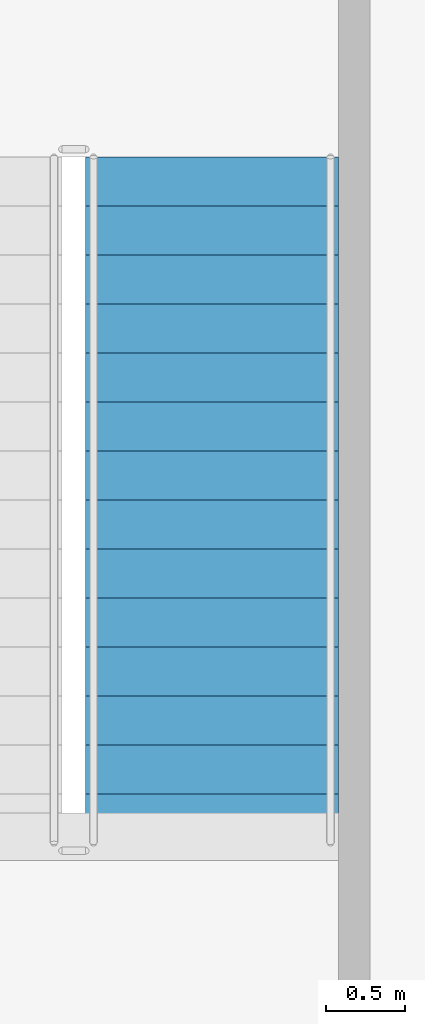
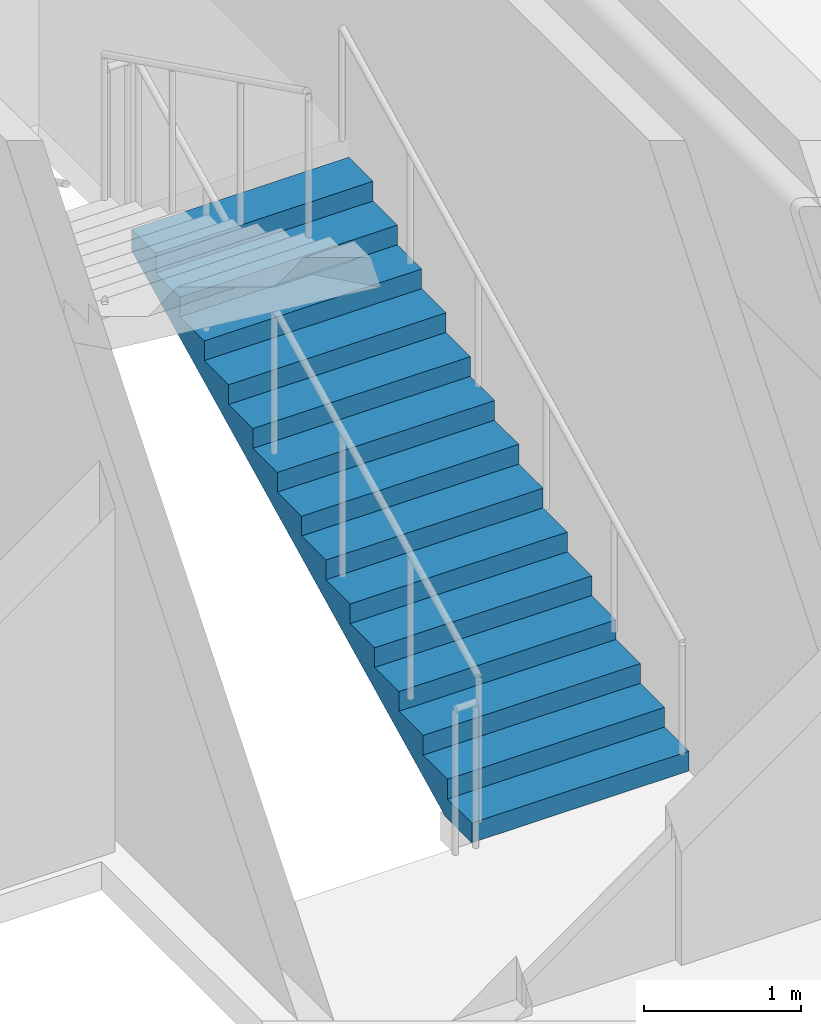
# One storey, part 13 of 20: 1 stair flight, 1 element without a shape of its own.
"""IFC4 building model written with IfcOpenShell, lengths in metres."""

from ifc_helpers import new_model, si_unit, direction, frame, origin, place, context, subcontext, project, spatial, polyline, outline, extrude, material, type_object, element, aggregate, save


model = new_model("IFC4")

# Units and contexts
model_context = context("Model", 3, precision=1e-05, world=origin(), true_north=direction((0.0, 1.0)))
body_context = subcontext(model_context, "Body", "Model", "MODEL_VIEW")
ifc_project = project(units=[si_unit("LENGTHUNIT", "METRE"), si_unit("AREAUNIT", "SQUARE_METRE"), si_unit("VOLUMEUNIT", "CUBIC_METRE"), si_unit("PLANEANGLEUNIT", "RADIAN"), si_unit("MASSUNIT", "GRAM", prefix="KILO")], contexts=[model_context])

# Site, building, storey
site_placement = place(None, origin())
site = spatial("IfcSite", under=ifc_project, at=site_placement, CompositionType="ELEMENT")
building_placement = place(site_placement, origin())
building = spatial("IfcBuilding", under=site, at=building_placement, Name="Vaeldorn Concourse Tower", CompositionType="ELEMENT")
storey_placement = place(building_placement, frame((0.0, 0.0, 299.199951171875)))
storey = spatial("IfcBuildingStorey", under=building, at=storey_placement, Name="L77", CompositionType="ELEMENT", Elevation=299.199951171875)

# Stair, stair flight
ifc_material = material(Name="Precast concrete C40/50", Category="concrete")
stair_type = type_object("IfcStairType", Name="STR-DOG-30x153", PredefinedType="HALF_TURN_STAIR", material=ifc_material)
stair_placement = place(storey_placement, origin())
stair = element("IfcStair", 1, at=stair_placement, inside=storey, type_object=stair_type, Name="L77 East Core Exit Stair ST-2", PredefinedType="HALF_TURN_STAIR")
stair_flight_type = type_object("IfcStairFlightType", Name="STF-STR-15x153", PredefinedType="STRAIGHT", material=ifc_material)
stair_flight_placement = place(storey_placement, frame((52.14990234375, 41.60009765625, 0.0), z_axis=(0.0, 0.0, 1.0), x_axis=(0.0, 1.0, 0.0)))
stair_flight = element("IfcStairFlight", 2, at=stair_flight_placement, type_object=stair_flight_type, Name="ST-2 flight 1", NumberOfRisers=15, NumberOfTreads=14, PredefinedType="STRAIGHT", RiserHeight=0.153333333, TreadLength=0.31, context=body_context, shape_type="SweptSolid", body=[
    extrude(outline(polyline([(0.0, 0.0), (0.0, 0.1533203125), (0.31005859375, 0.1533203125), (0.31005859375, 0.306640625), (0.6201171875, 0.306640625), (0.6201171875, 0.4599609375), (0.929931640625, 0.4599609375), (0.929931640625, 0.61328125), (1.239990234375, 0.61328125), (1.239990234375, 0.7666015625), (1.550048828125, 0.7666015625), (1.550048828125, 0.919921875), (1.860107421875, 0.919921875), (1.860107421875, 1.0732421875), (2.169921875, 1.0732421875), (2.169921875, 1.2265625), (2.47998046875, 1.2265625), (2.47998046875, 1.3798828125), (2.7900390625, 1.3798828125), (2.7900390625, 1.533447265625), (3.10009765625, 1.533447265625), (3.10009765625, 1.686767578125), (3.409912109375, 1.686767578125), (3.409912109375, 1.840087890625), (3.719970703125, 1.840087890625), (3.719970703125, 1.993408203125), (4.030029296875, 1.993408203125), (4.030029296875, 2.146728515625), (4.340087890625, 2.146728515625), (4.340087890625, 2.300048828125), (4.340087890625, 1.9794921875), (0.338134765625, 0.0), (0.0, 0.0)])), frame((0.0, 0.800048828125, 0.0), z_axis=(0.0, -1.0, 0.0), x_axis=(1.0, 0.0, 0.0)), (0.0, 0.0, 1.0), 1.60009765625),
])
aggregate(stair, [stair_flight])

save(model, "model.ifc")
